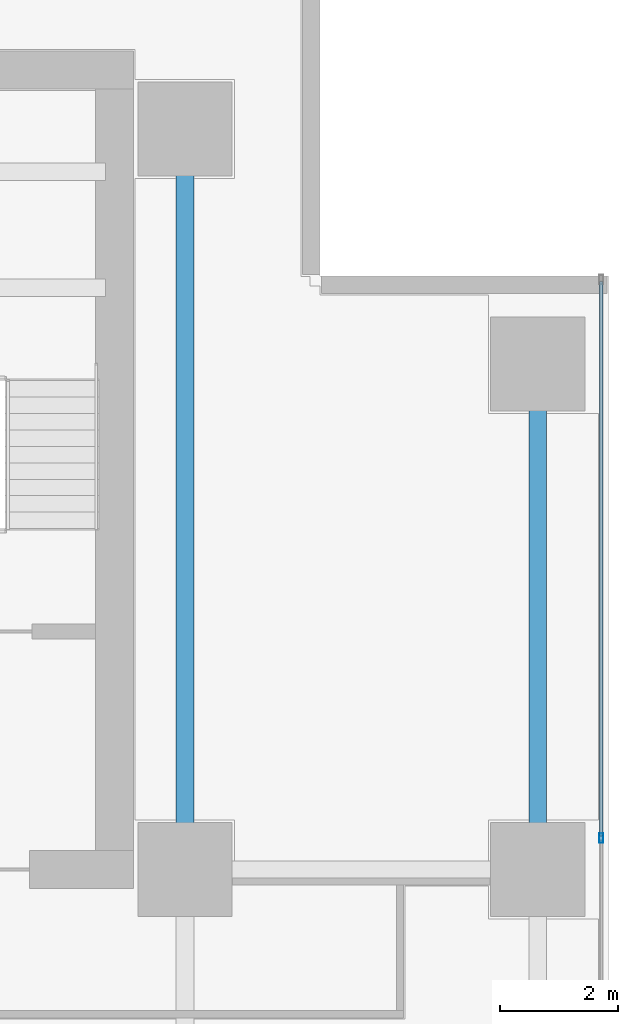
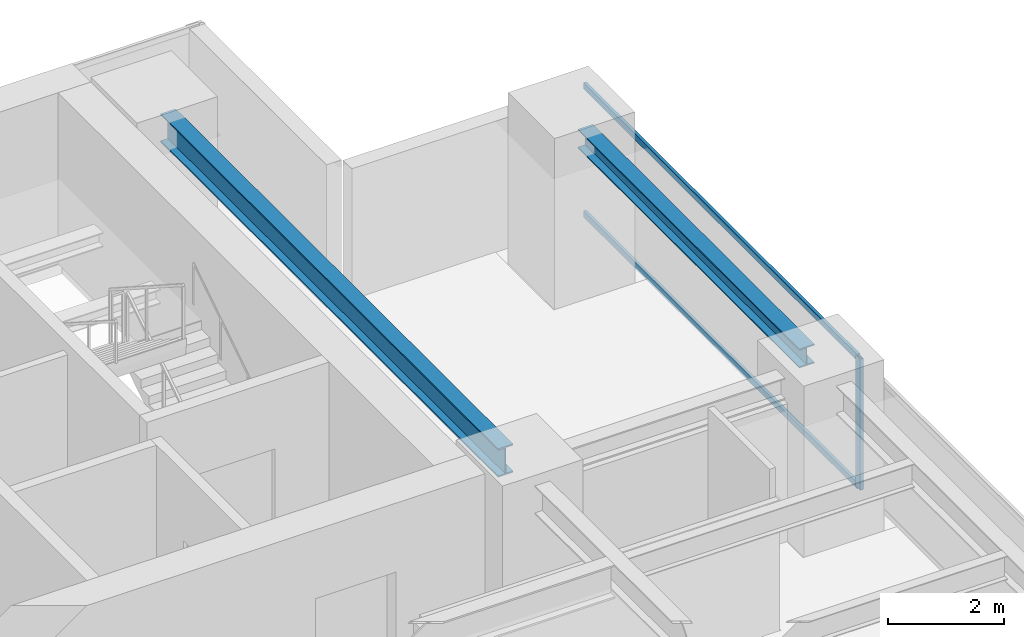
# One storey, part 18 of 27: 3 members, 2 beams, 1 element without a shape of its own.
"""IFC4 building model written with IfcOpenShell, lengths in metres."""

from ifc_helpers import new_model, si_unit, direction, frame, origin, origin_2d, place, context, subcontext, project, spatial, hollow_rectangle, i_section, extrude, source, transform, mapped, material, layer, layer_set, material_profile, profile_set, type_object, element, aggregate, save


model = new_model("IFC4")

# Units and contexts
model_context = context("Model", 3, precision=1e-05, world=origin(), true_north=direction((0.0, 1.0)))
body_context = subcontext(model_context, "Body", "Model", "MODEL_VIEW")
ifc_project = project(units=[si_unit("LENGTHUNIT", "METRE"), si_unit("AREAUNIT", "SQUARE_METRE"), si_unit("VOLUMEUNIT", "CUBIC_METRE"), si_unit("PLANEANGLEUNIT", "RADIAN"), si_unit("MASSUNIT", "GRAM", prefix="KILO")], contexts=[model_context])

# Site, building, storey
site_placement = place(None, origin())
site = spatial("IfcSite", under=ifc_project, at=site_placement, CompositionType="ELEMENT")
building_placement = place(site_placement, origin())
building = spatial("IfcBuilding", under=site, at=building_placement, Name="Sumidabori Civic Tower", CompositionType="ELEMENT")
storey_placement = place(building_placement, frame((0.0, 0.0, 135.199951171875)))
storey = spatial("IfcBuildingStorey", under=building, at=storey_placement, Name="L34", CompositionType="ELEMENT", Elevation=135.199951171875)

# Beams
ifc_material_1 = material(Name="Steel SN490", Category="steel")
ifc_material_profile_1 = material_profile(ifc_material_1, i_section(OverallWidth=0.300048828125, OverallDepth=0.39990234375, WebThickness=0.013427734375, FlangeThickness=0.02392578125, at=origin_2d()), Name="HE 400 B")
ifc_profile_set_1 = profile_set([ifc_material_profile_1], Name="Steel SN490")
beam_type_1 = type_object("IfcBeamType", Name="BM-GIRD-400", PredefinedType="BEAM", material=ifc_profile_set_1)
shared_shape_1 = source(origin(), body_context, "Body", "SweptSolid", [
    extrude(i_section(OverallWidth=0.300048828125, OverallDepth=0.39990234375, WebThickness=0.013427734375, FlangeThickness=0.02392578125, at=origin_2d()), origin(), (0.0, 0.0, 1.0), 7.64013671875),
])
beam_1_placement = place(storey_placement, frame((22.800048828125, 10.679931640625, 3.179931640625), z_axis=(0.0, 1.0, 0.0), x_axis=(-1.0, 0.0, 0.0)))
element("IfcBeam", 1, at=beam_1_placement, inside=storey, type_object=beam_type_1, Name="Primary Girder L34 GY-38", PredefinedType="BEAM", context=body_context, shape_type="MappedRepresentation", body=[
    mapped(shared_shape_1, transform((0.0, 0.0, 0.0), x_axis=(1.0, 0.0, 0.0), y_axis=(0.0, 1.0, 0.0), z_axis=(0.0, 0.0, 1.0), scale=1.0)),
])
ifc_material_profile_2 = material_profile(ifc_material_1, i_section(OverallWidth=0.300048828125, OverallDepth=0.60009765625, WebThickness=0.015380859375, FlangeThickness=0.030029296875, at=origin_2d()), Name="HE 600 B")
ifc_profile_set_2 = profile_set([ifc_material_profile_2], Name="Steel SN490")
beam_type_2 = type_object("IfcBeamType", Name="BM-GIRD-600", PredefinedType="BEAM", material=ifc_profile_set_2)
shared_shape_2 = source(origin(), body_context, "Body", "SweptSolid", [
    extrude(i_section(OverallWidth=0.300048828125, OverallDepth=0.60009765625, WebThickness=0.015380859375, FlangeThickness=0.030029296875, at=origin_2d()), origin(), (0.0, 0.0, 1.0), 11.64013671875),
])
beam_2_placement = place(storey_placement, frame((16.800048828125, 10.679931640625, 3.080078125), z_axis=(0.0, 1.0, 0.0), x_axis=(-1.0, 0.0, 0.0)))
element("IfcBeam", 2, at=beam_2_placement, inside=storey, type_object=beam_type_2, Name="Primary Girder L34 GY-35", PredefinedType="BEAM", context=body_context, shape_type="MappedRepresentation", body=[
    mapped(shared_shape_2, transform((0.0, 0.0, 0.0), x_axis=(1.0, 0.0, 0.0), y_axis=(0.0, 1.0, 0.0), z_axis=(0.0, 0.0, 1.0), scale=1.0)),
])

# Curtain wall, members
ifc_material_2 = material(Name="Anodised Bronze Aluminium AW-6063-T6", Category="aluminium")
ifc_layer = layer(ifc_material_2, 0.179931640625, Name="Anodised Bronze Aluminium AW-6063-T6")
ifc_layer_set = layer_set([ifc_layer], Name="Anodised Bronze Aluminium AW-6063-T6")
curtain_wall_type = type_object("IfcCurtainWallType", Name="CW-SYS-3", PredefinedType="NOTDEFINED", material=ifc_layer_set)
curtain_wall_placement = place(storey_placement, origin())
curtain_wall = element("IfcCurtainWall", 3, at=curtain_wall_placement, inside=storey, type_object=curtain_wall_type, Name="Curtain Wall CW:L34:R04", PredefinedType="NOTDEFINED")
ifc_material_profile_3 = material_profile(ifc_material_2, hollow_rectangle(XDim=0.06494140625, YDim=0.159912109375, WallThickness=0.0048828125, at=origin_2d()), Name="ALU MULLION 160x65")
ifc_profile_set_3 = profile_set([ifc_material_profile_3], Name="Anodised Bronze Aluminium AW-6063-T6")
member_type_1 = type_object("IfcMemberType", Name="CW-MUL-160", PredefinedType="MULLION", material=ifc_profile_set_3)
shared_shape_3 = source(origin(), body_context, "Body", "SweptSolid", [
    extrude(hollow_rectangle(XDim=0.06494140625, YDim=0.159912109375, WallThickness=0.0048828125, at=origin_2d()), origin(), (0.0, 0.0, 1.0), 2.760009765625),
])
member_1_placement = place(storey_placement, frame((23.8798828125, 10.735107421875, 0.0), z_axis=(0.0, 0.0, 1.0), x_axis=(-1.0, 0.0, 0.0)))
member_1 = element("IfcMember", 4, at=member_1_placement, type_object=member_type_1, Name="CW-3 mullion 4", PredefinedType="MULLION", context=body_context, shape_type="MappedRepresentation", body=[
    mapped(shared_shape_3, transform((0.0, 0.0, 0.0), x_axis=(1.0, 0.0, 0.0), y_axis=(0.0, 1.0, 0.0), z_axis=(0.0, 0.0, 1.0), scale=1.0)),
])
ifc_material_profile_4 = material_profile(ifc_material_2, hollow_rectangle(XDim=0.06005859375, YDim=0.1298828125, WallThickness=0.0048828125, at=origin_2d()), Name="ALU TRANSOM 130x60")
ifc_profile_set_4 = profile_set([ifc_material_profile_4], Name="Anodised Bronze Aluminium AW-6063-T6")
member_type_2 = type_object("IfcMemberType", Name="CW-TRN-130", PredefinedType="USERDEFINED", material=ifc_profile_set_4)
shared_shape_4 = source(origin(), body_context, "Body", "SweptSolid", [
    extrude(hollow_rectangle(XDim=0.06005859375, YDim=0.1298828125, WallThickness=0.0048828125, at=origin_2d()), origin(), (0.0, 0.0, 1.0), 9.4375),
])
member_2_placement = place(storey_placement, frame((23.8798828125, 10.767578125, 0.030029296875), z_axis=(0.0, 1.0, 0.0), x_axis=(-1.0, 0.0, 0.0)))
member_2 = element("IfcMember", 5, at=member_2_placement, type_object=member_type_2, Name="CW-3 transom 4.1", ObjectType="TRANSOM", PredefinedType="USERDEFINED", context=body_context, shape_type="MappedRepresentation", body=[
    mapped(shared_shape_4, transform((0.0, 0.0, 0.0), x_axis=(1.0, 0.0, 0.0), y_axis=(0.0, 1.0, 0.0), z_axis=(0.0, 0.0, 1.0), scale=1.0)),
])
member_3_placement = place(storey_placement, frame((23.8798828125, 10.767578125, 2.72998046875), z_axis=(0.0, 1.0, 0.0), x_axis=(-1.0, 0.0, 0.0)))
member_3 = element("IfcMember", 6, at=member_3_placement, type_object=member_type_2, Name="CW-3 transom 4.2", ObjectType="TRANSOM", PredefinedType="USERDEFINED", context=body_context, shape_type="MappedRepresentation", body=[
    mapped(shared_shape_4, transform((0.0, 0.0, 0.0), x_axis=(1.0, 0.0, 0.0), y_axis=(0.0, 1.0, 0.0), z_axis=(0.0, 0.0, 1.0), scale=1.0)),
])
aggregate(curtain_wall, [member_1, member_2, member_3])

save(model, "model.ifc")
